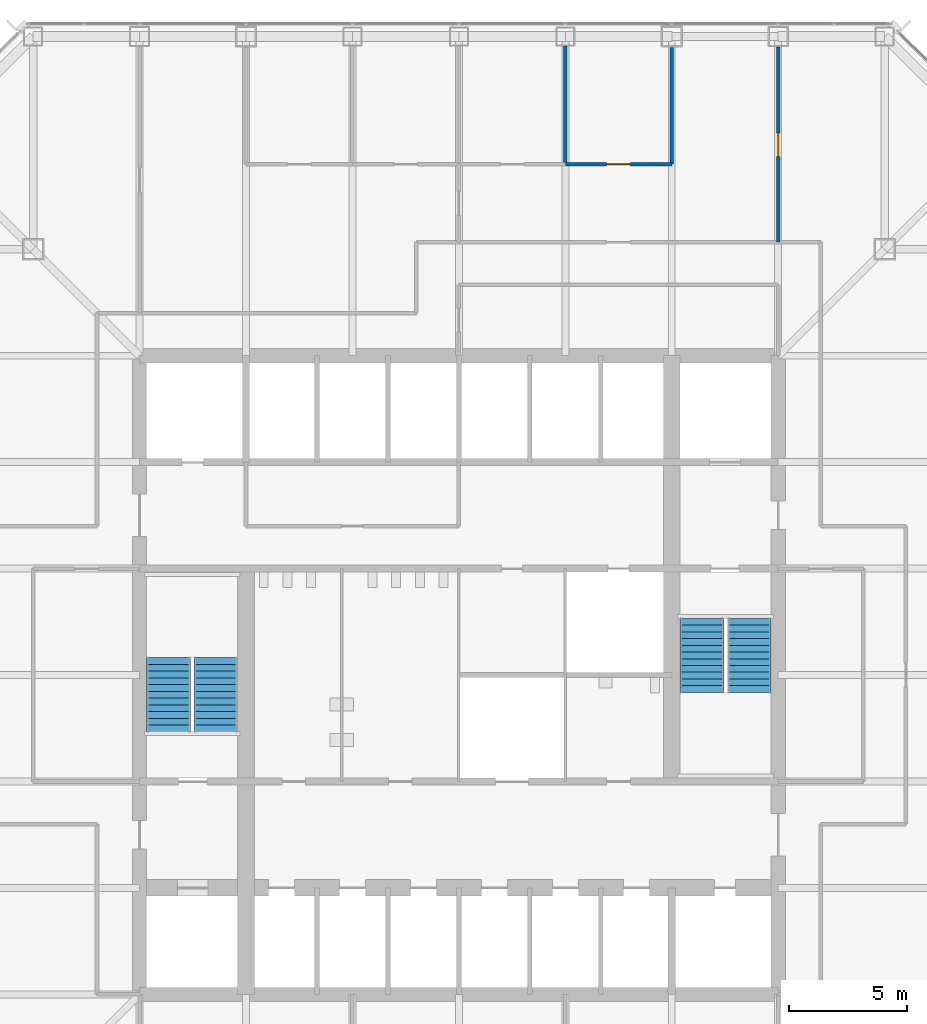
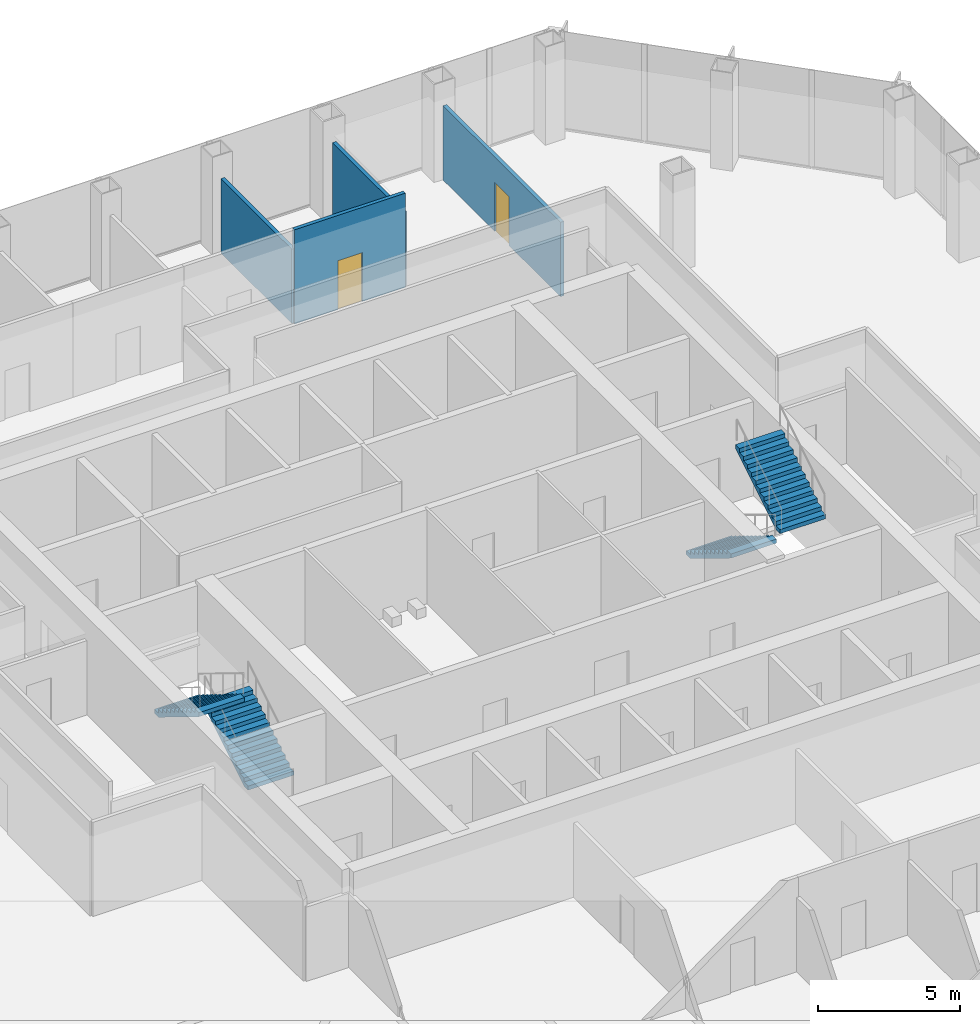
# One storey, part 11 of 13: 4 stair flights, 4 walls, 2 doors, 2 openings, 2 elements without a shape of their own.
"""IFC4 building model written with IfcOpenShell, lengths in metres."""

from ifc_helpers import new_model, si_unit, direction, frame, frame_2d, origin, place, context, subcontext, project, spatial, polyline, rectangle, outline, extrude, material, layer, layer_set, type_object, element, fill, aggregate, save


model = new_model("IFC4")

# Units and contexts
model_context = context("Model", 3, precision=1e-05, world=origin(), true_north=direction((0.0, 1.0)))
body_context = subcontext(model_context, "Body", "Model", "MODEL_VIEW")
ifc_project = project(units=[si_unit("LENGTHUNIT", "METRE"), si_unit("AREAUNIT", "SQUARE_METRE"), si_unit("VOLUMEUNIT", "CUBIC_METRE"), si_unit("PLANEANGLEUNIT", "RADIAN"), si_unit("MASSUNIT", "GRAM", prefix="KILO")], contexts=[model_context])

# Site, building, storey
site_placement = place(None, origin())
site = spatial("IfcSite", under=ifc_project, at=site_placement, CompositionType="ELEMENT")
building_placement = place(site_placement, origin())
building = spatial("IfcBuilding", under=site, at=building_placement, Name="Corais Broadcast Tower", CompositionType="ELEMENT")
storey_placement = place(building_placement, frame((0.0, 0.0, 83.60009765625)))
storey = spatial("IfcBuildingStorey", under=building, at=storey_placement, Name="L18", CompositionType="ELEMENT", Elevation=83.60009765625)

# Wall
ifc_material_1 = material(Name="Gypsum board on steel studs", Category="steel")
ifc_layer = layer(ifc_material_1, 0.14990234375)
ifc_layer_set = layer_set([ifc_layer], Name="Gypsum board on steel studs")
wall_type = type_object("IfcWallType", Name="Partition 150", PredefinedType="PARTITIONING", material=ifc_layer_set)
wall_1_placement = place(storey_placement, frame((31.5, 48.60009765625, 0.0), z_axis=(0.0, 0.0, 1.0), x_axis=(0.0, 1.0, 0.0)))
element("IfcWall", 1, at=wall_1_placement, inside=storey, type_object=wall_type, Name="IW3 partition L18", PredefinedType="PARTITIONING", context=body_context, shape_type="SweptSolid", body=[
    extrude(rectangle(XDim=4.989990234375, YDim=0.14990234375, at=frame_2d((2.4951171875, 0.0))), origin(), (0.0, 0.0, 1.0), 3.18896484375),
])

# Wall, opening, door
wall_2_placement = place(storey_placement, frame((31.5, 48.60009765625, 0.0), z_axis=(0.0, 0.0, 1.0), x_axis=(1.0, 0.0, 0.0)))
wall_2 = element("IfcWall", 2, at=wall_2_placement, inside=storey, type_object=wall_type, Name="IW3 partition L18", PredefinedType="PARTITIONING", context=body_context, shape_type="SweptSolid", body=[
    extrude(rectangle(XDim=4.5, YDim=0.14990234375, at=frame_2d((2.25, 0.0))), origin(), (0.0, 0.0, 1.0), 4.039794921875),
])
opening_1_placement = place(wall_2_placement, frame((1.75, 0.0, 0.0)))
opening_1 = element("IfcOpeningElement", 3, at=opening_1_placement, cuts=wall_2, Name="Opening D1", PredefinedType="OPENING", context=body_context, shape_type="SweptSolid", body=[
    extrude(rectangle(XDim=1.0, YDim=2.10009765625, at=frame_2d((0.5, 1.050048828125))), frame((0.0, 0.0849609375, 0.0), z_axis=(0.0, -1.0, 0.0), x_axis=(1.0, 0.0, 0.0)), (0.0, 0.0, 1.0), 0.169921875),
])
ifc_material_2 = material(Name="Timber door", Category="wood")
door_type = type_object("IfcDoorType", Name="Single door 1000x2100", OperationType="SINGLE_SWING_LEFT", PredefinedType="DOOR", material=ifc_material_2)
door_1_placement = place(opening_1_placement, origin())
door_1 = element("IfcDoor", 4, at=door_1_placement, inside=storey, type_object=door_type, Name="D1 Office door", OperationType="SINGLE_SWING_LEFT", OverallHeight=2.10009765625, OverallWidth=1.0, PredefinedType="DOOR", context=body_context, shape_type="SweptSolid", body=[
    extrude(rectangle(XDim=1.0, YDim=2.10009765625, at=frame_2d((0.5, 1.050048828125))), frame((0.0, 0.02490234375, 0.0), z_axis=(0.0, -1.0, 0.0), x_axis=(1.0, 0.0, 0.0)), (0.0, 0.0, 1.0), 0.050048828125),
])
fill(opening_1, door_1)

# Wall
wall_3_placement = place(storey_placement, frame((36.0, 48.60009765625, 0.0), z_axis=(0.0, 0.0, 1.0), x_axis=(0.0, 1.0, 0.0)))
element("IfcWall", 5, at=wall_3_placement, inside=storey, type_object=wall_type, Name="IW3 partition L18", PredefinedType="PARTITIONING", context=body_context, shape_type="SweptSolid", body=[
    extrude(rectangle(XDim=4.93994140625, YDim=0.14990234375, at=frame_2d((2.469970703125, 0.0))), origin(), (0.0, 0.0, 1.0), 3.18896484375),
])

# Wall, opening, door
wall_4_placement = place(storey_placement, frame((40.5, 45.300048828125, 0.0), z_axis=(0.0, 0.0, 1.0), x_axis=(0.0, 1.0, 0.0)))
wall_4 = element("IfcWall", 6, at=wall_4_placement, inside=storey, type_object=wall_type, Name="IW3 partition L18", PredefinedType="PARTITIONING", context=body_context, shape_type="SweptSolid", body=[
    extrude(rectangle(XDim=8.2548828125, YDim=0.14990234375, at=frame_2d((4.12744140625, 0.0))), origin(), (0.0, 0.0, 1.0), 3.18896484375),
])
opening_2_placement = place(wall_4_placement, frame((3.62744140625, 0.0, 0.0)))
opening_2 = element("IfcOpeningElement", 7, at=opening_2_placement, cuts=wall_4, Name="Opening D1", PredefinedType="OPENING", context=body_context, shape_type="SweptSolid", body=[
    extrude(rectangle(XDim=1.0, YDim=2.10009765625, at=frame_2d((0.5, 1.050048828125))), frame((0.0, 0.0849609375, 0.0), z_axis=(0.0, -1.0, 0.0), x_axis=(1.0, 0.0, 0.0)), (0.0, 0.0, 1.0), 0.169921875),
])
door_2_placement = place(opening_2_placement, origin())
door_2 = element("IfcDoor", 8, at=door_2_placement, inside=storey, type_object=door_type, Name="D1 team room door L18", OperationType="SINGLE_SWING_LEFT", OverallHeight=2.10009765625, OverallWidth=1.0, PredefinedType="DOOR", context=body_context, shape_type="SweptSolid", body=[
    extrude(rectangle(XDim=1.0, YDim=2.10009765625, at=frame_2d((0.5, 1.050048828125))), frame((0.0, 0.02490234375, 0.0), z_axis=(0.0, -1.0, 0.0), x_axis=(1.0, 0.0, 0.0)), (0.0, 0.0, 1.0), 0.050048828125),
])
fill(opening_2, door_2)

# Stair, stair flights
ifc_material_3 = material(Name="Concrete C30/37", Category="concrete")
stair_type = type_object("IfcStairType", Name="Half-turn stair 4200", PredefinedType="HALF_TURN_STAIR", material=ifc_material_3)
stair_1_placement = place(storey_placement, origin())
stair_1 = element("IfcStair", 9, at=stair_1_placement, inside=storey, type_object=stair_type, Name="Stair A L18", PredefinedType="HALF_TURN_STAIR")
ifc_material_4 = material(Name="Concrete C30/37", Category="concrete")
stair_flight_type = type_object("IfcStairFlightType", Name="Stair flight 4200", PredefinedType="STRAIGHT", material=ifc_material_4)
stair_flight_1_placement = place(storey_placement, frame((16.72509765625, 24.60009765625, 0.0), z_axis=(0.0, 0.0, 1.0), x_axis=(0.0, 1.0, 0.0)))
stair_flight_1 = element("IfcStairFlight", 10, at=stair_flight_1_placement, type_object=stair_flight_type, Name="STA flight 1", NumberOfRisers=12, NumberOfTreads=11, PredefinedType="STRAIGHT", RiserHeight=0.175, TreadLength=0.285, context=body_context, shape_type="SweptSolid", body=[
    extrude(outline(polyline([(0.0, 0.0), (0.0, 0.175048828125), (0.284912109375, 0.175048828125), (0.284912109375, 0.35009765625), (0.570068359375, 0.35009765625), (0.570068359375, 0.52490234375), (0.85498046875, 0.52490234375), (0.85498046875, 0.699951171875), (1.139892578125, 0.699951171875), (1.139892578125, 0.875), (1.425048828125, 0.875), (1.425048828125, 1.050048828125), (1.7099609375, 1.050048828125), (1.7099609375, 1.22509765625), (1.9951171875, 1.22509765625), (1.9951171875, 1.39990234375), (2.280029296875, 1.39990234375), (2.280029296875, 1.574951171875), (2.56494140625, 1.574951171875), (2.56494140625, 1.75), (2.85009765625, 1.75), (2.85009765625, 1.925048828125), (3.135009765625, 1.925048828125), (3.135009765625, 2.10009765625), (3.135009765625, 1.7490234375), (0.286376953125, 0.0), (0.0, 0.0)])), frame((0.0, 0.925048828125, 0.0), z_axis=(0.0, -1.0, 0.0), x_axis=(1.0, 0.0, 0.0)), (0.0, 0.0, 1.0), 1.85009765625),
])
stair_flight_2_placement = place(storey_placement, frame((14.72509765625, 27.735107421875, 2.099853515625), z_axis=(0.0, 0.0, 1.0), x_axis=(0.0, -1.0, 0.0)))
stair_flight_2 = element("IfcStairFlight", 11, at=stair_flight_2_placement, type_object=stair_flight_type, Name="STA flight 2", NumberOfRisers=12, NumberOfTreads=11, PredefinedType="STRAIGHT", RiserHeight=0.175, TreadLength=0.285, context=body_context, shape_type="SweptSolid", body=[
    extrude(outline(polyline([(0.0, 0.0), (0.0, 0.175048828125), (0.284912109375, 0.175048828125), (0.284912109375, 0.35009765625), (0.570068359375, 0.35009765625), (0.570068359375, 0.52490234375), (0.85498046875, 0.52490234375), (0.85498046875, 0.699951171875), (1.139892578125, 0.699951171875), (1.139892578125, 0.875), (1.425048828125, 0.875), (1.425048828125, 1.050048828125), (1.7099609375, 1.050048828125), (1.7099609375, 1.22509765625), (1.9951171875, 1.22509765625), (1.9951171875, 1.39990234375), (2.280029296875, 1.39990234375), (2.280029296875, 1.574951171875), (2.56494140625, 1.574951171875), (2.56494140625, 1.75), (2.85009765625, 1.75), (2.85009765625, 1.925048828125), (3.135009765625, 1.925048828125), (3.135009765625, 2.10009765625), (3.135009765625, 1.7490234375), (0.286376953125, 0.0), (0.0, 0.0)])), frame((0.0, 0.925048828125, 0.0), z_axis=(0.0, -1.0, 0.0), x_axis=(1.0, 0.0, 0.0)), (0.0, 0.0, 1.0), 1.85009765625),
])
aggregate(stair_1, [stair_flight_1, stair_flight_2])

stair_2_placement = place(storey_placement, origin())
stair_2 = element("IfcStair", 12, at=stair_2_placement, inside=storey, type_object=stair_type, Name="Stair B L18", PredefinedType="HALF_TURN_STAIR")
stair_flight_3_placement = place(storey_placement, frame((37.27490234375, 29.39990234375, 0.0), z_axis=(0.0, 0.0, 1.0), x_axis=(0.0, -1.0, 0.0)))
stair_flight_3 = element("IfcStairFlight", 13, at=stair_flight_3_placement, type_object=stair_flight_type, Name="STB flight 1", NumberOfRisers=12, NumberOfTreads=11, PredefinedType="STRAIGHT", RiserHeight=0.175, TreadLength=0.285, context=body_context, shape_type="SweptSolid", body=[
    extrude(outline(polyline([(0.0, 0.0), (0.0, 0.175048828125), (0.284912109375, 0.175048828125), (0.284912109375, 0.35009765625), (0.570068359375, 0.35009765625), (0.570068359375, 0.52490234375), (0.85498046875, 0.52490234375), (0.85498046875, 0.699951171875), (1.139892578125, 0.699951171875), (1.139892578125, 0.875), (1.425048828125, 0.875), (1.425048828125, 1.050048828125), (1.7099609375, 1.050048828125), (1.7099609375, 1.22509765625), (1.9951171875, 1.22509765625), (1.9951171875, 1.39990234375), (2.280029296875, 1.39990234375), (2.280029296875, 1.574951171875), (2.56494140625, 1.574951171875), (2.56494140625, 1.75), (2.85009765625, 1.75), (2.85009765625, 1.925048828125), (3.135009765625, 1.925048828125), (3.135009765625, 2.10009765625), (3.135009765625, 1.7490234375), (0.286376953125, 0.0), (0.0, 0.0)])), frame((0.0, 0.925048828125, 0.0), z_axis=(0.0, -1.0, 0.0), x_axis=(1.0, 0.0, 0.0)), (0.0, 0.0, 1.0), 1.85009765625),
])
stair_flight_4_placement = place(storey_placement, frame((39.27490234375, 26.264892578125, 2.099853515625), z_axis=(0.0, 0.0, 1.0), x_axis=(0.0, 1.0, 0.0)))
stair_flight_4 = element("IfcStairFlight", 14, at=stair_flight_4_placement, type_object=stair_flight_type, Name="STB flight 2", NumberOfRisers=12, NumberOfTreads=11, PredefinedType="STRAIGHT", RiserHeight=0.175, TreadLength=0.285, context=body_context, shape_type="SweptSolid", body=[
    extrude(outline(polyline([(0.0, 0.0), (0.0, 0.175048828125), (0.284912109375, 0.175048828125), (0.284912109375, 0.35009765625), (0.570068359375, 0.35009765625), (0.570068359375, 0.52490234375), (0.85498046875, 0.52490234375), (0.85498046875, 0.699951171875), (1.139892578125, 0.699951171875), (1.139892578125, 0.875), (1.425048828125, 0.875), (1.425048828125, 1.050048828125), (1.7099609375, 1.050048828125), (1.7099609375, 1.22509765625), (1.9951171875, 1.22509765625), (1.9951171875, 1.39990234375), (2.280029296875, 1.39990234375), (2.280029296875, 1.574951171875), (2.56494140625, 1.574951171875), (2.56494140625, 1.75), (2.85009765625, 1.75), (2.85009765625, 1.925048828125), (3.135009765625, 1.925048828125), (3.135009765625, 2.10009765625), (3.135009765625, 1.7490234375), (0.286376953125, 0.0), (0.0, 0.0)])), frame((0.0, 0.925048828125, 0.0), z_axis=(0.0, -1.0, 0.0), x_axis=(1.0, 0.0, 0.0)), (0.0, 0.0, 1.0), 1.85009765625),
])
aggregate(stair_2, [stair_flight_3, stair_flight_4])

save(model, "model.ifc")
